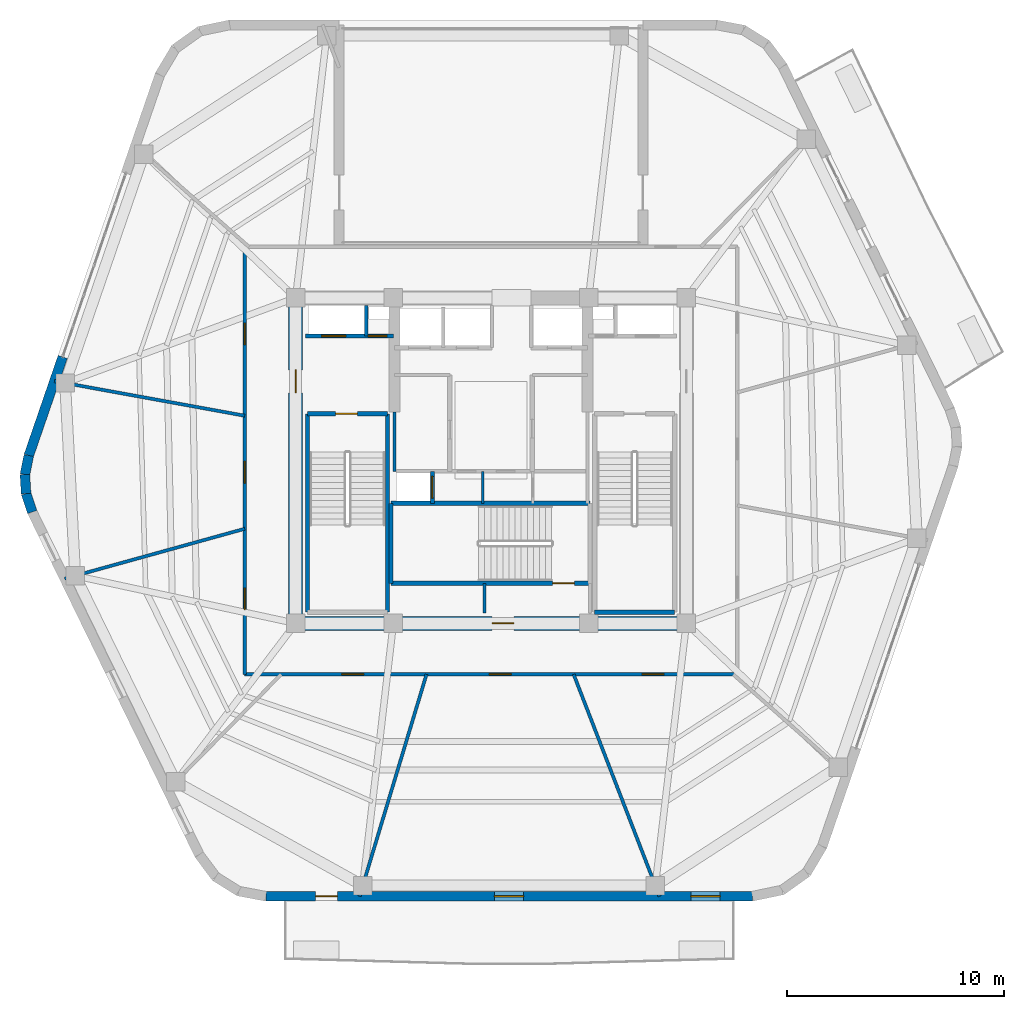
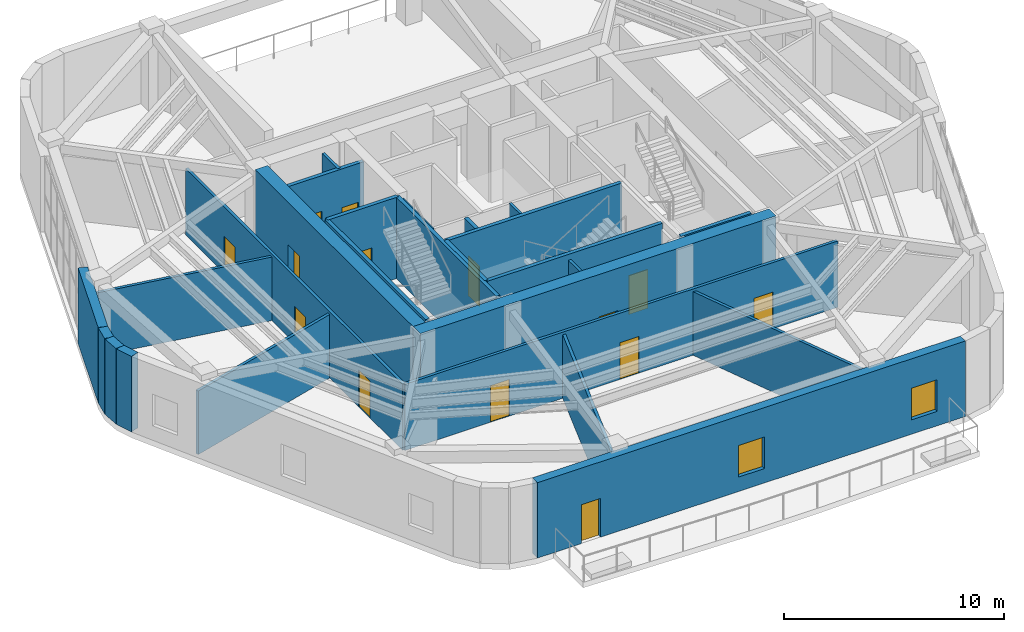
# One storey, part 11 of 15: 26 walls, 14 doors, 2 windows, 16 openings.
"""IFC4 building model written with IfcOpenShell, lengths in metres."""

from ifc_helpers import new_model, si_unit, direction, frame, frame_2d, origin, place, context, subcontext, project, spatial, rectangle, extrude, material, layer, layer_set, type_object, element, fill, save


model = new_model("IFC4")

# Units and contexts
model_context = context("Model", 3, precision=1e-05, world=origin(), true_north=direction((0.0, 1.0)))
body_context = subcontext(model_context, "Body", "Model", "MODEL_VIEW")
ifc_project = project(units=[si_unit("LENGTHUNIT", "METRE"), si_unit("AREAUNIT", "SQUARE_METRE"), si_unit("VOLUMEUNIT", "CUBIC_METRE"), si_unit("PLANEANGLEUNIT", "RADIAN"), si_unit("MASSUNIT", "GRAM", prefix="KILO")], contexts=[model_context])

# Site, building, storey
site_placement = place(None, origin())
site = spatial("IfcSite", under=ifc_project, at=site_placement, CompositionType="ELEMENT")
building_placement = place(site_placement, origin())
building = spatial("IfcBuilding", under=site, at=building_placement, Name="Kilnhurst Terrace Hotel", CompositionType="ELEMENT")
storey_placement = place(building_placement, frame((0.0, 0.0, 288.60009765625)))
storey = spatial("IfcBuildingStorey", under=building, at=storey_placement, Name="L72", CompositionType="ELEMENT", Elevation=288.60009765625)

# Walls
ifc_material_1 = material(Name="Precast concrete C40/50", Category="concrete")
ifc_layer_1 = layer(ifc_material_1, 0.449951171875, Name="Precast concrete C40/50")
ifc_layer_set_1 = layer_set([ifc_layer_1], Name="Precast concrete C40/50")
wall_type_1 = type_object("IfcWallType", Name="WL-BRK-450", PredefinedType="SOLIDWALL", material=ifc_layer_set_1)
wall_1_placement = place(storey_placement, frame((-21.297607421875, 0.2333984375, 0.0), z_axis=(0.0, 0.0, 1.0), x_axis=(-0.199158176661, -0.979967356941, 0.0)))
element("IfcWall", 1, at=wall_1_placement, inside=storey, type_object=wall_type_1, Name="L72 Rounded Corner Brick Wall C6.1", PredefinedType="SOLIDWALL", context=body_context, shape_type="SweptSolid", body=[
    extrude(rectangle(XDim=0.894775390625, YDim=0.449951171875, at=frame_2d((0.447265625, 0.0))), origin(), (0.0, 0.0, 1.0), 4.179931640625),
])
wall_2_placement = place(storey_placement, frame((-21.475830078125, -0.6435546875, 0.0), z_axis=(0.0, 0.0, 1.0), x_axis=(0.061031097918, -0.998135865044, 0.0)))
element("IfcWall", 2, at=wall_2_placement, inside=storey, type_object=wall_type_1, Name="L72 Rounded Corner Brick Wall C6.2", PredefinedType="SOLIDWALL", context=body_context, shape_type="SweptSolid", body=[
    extrude(rectangle(XDim=0.880126953125, YDim=0.449951171875, at=frame_2d((0.43994140625, 0.0))), origin(), (0.0, 0.0, 1.0), 4.179931640625),
])
wall_3_placement = place(storey_placement, frame((-21.422119140625, -1.52197265625, 0.0), z_axis=(0.0, 0.0, 1.0), x_axis=(0.316964162323, -0.94843751497, 0.0)))
element("IfcWall", 3, at=wall_3_placement, inside=storey, type_object=wall_type_1, Name="L72 Rounded Corner Brick Wall C6.3", PredefinedType="SOLIDWALL", context=body_context, shape_type="SweptSolid", body=[
    extrude(rectangle(XDim=0.89501953125, YDim=0.449951171875, at=frame_2d((0.447509765625, 0.0))), origin(), (0.0, 0.0, 1.0), 4.179931640625),
])

# Wall, openings, door, windows
wall_4_placement = place(storey_placement, frame((-10.37890625, -20.074951171875, 0.0), z_axis=(0.0, 0.0, 1.0), x_axis=(1.0, 0.0, 0.0)))
wall_4 = element("IfcWall", 4, at=wall_4_placement, inside=storey, type_object=wall_type_1, Name="L72 Exterior Brick Facade Wall F1", PredefinedType="SOLIDWALL", context=body_context, shape_type="SweptSolid", body=[
    extrude(rectangle(XDim=22.417236328125, YDim=0.449951171875, at=frame_2d((11.20849609375, 0.0))), origin(), (0.0, 0.0, 1.0), 4.179931640625),
])
opening_1_placement = place(wall_4_placement, frame((2.302001953125, 0.0, 0.0)))
opening_1 = element("IfcOpeningElement", 5, at=opening_1_placement, cuts=wall_4, Name="Opening BD-1000", PredefinedType="OPENING", context=body_context, shape_type="SweptSolid", body=[
    extrude(rectangle(XDim=1.0, YDim=2.14990234375, at=frame_2d((0.5, 1.074951171875))), frame((0.0, 0.23486328125, 0.0), z_axis=(0.0, -1.0, 0.0), x_axis=(1.0, 0.0, 0.0)), (0.0, 0.0, 1.0), 0.469970703125),
])
opening_2_placement = place(wall_4_placement, frame((10.533935546875, 0.0, 0.800048828125)))
opening_2 = element("IfcOpeningElement", 6, at=opening_2_placement, cuts=wall_4, Name="Opening W-06", PredefinedType="OPENING", context=body_context, shape_type="SweptSolid", body=[
    extrude(rectangle(XDim=1.35009765625, YDim=1.75, at=frame_2d((0.675048828125, 0.875))), frame((0.0, 0.23486328125, 0.0), z_axis=(0.0, -1.0, 0.0), x_axis=(1.0, 0.0, 0.0)), (0.0, 0.0, 1.0), 0.469970703125),
])
opening_3_placement = place(wall_4_placement, frame((19.5869140625, 0.0, 0.800048828125)))
opening_3 = element("IfcOpeningElement", 7, at=opening_3_placement, cuts=wall_4, Name="Opening W-06", PredefinedType="OPENING", context=body_context, shape_type="SweptSolid", body=[
    extrude(rectangle(XDim=1.35009765625, YDim=1.75, at=frame_2d((0.675048828125, 0.875))), frame((0.0, 0.23486328125, 0.0), z_axis=(0.0, -1.0, 0.0), x_axis=(1.0, 0.0, 0.0)), (0.0, 0.0, 1.0), 0.469970703125),
])
ifc_material_2 = material(Name="Thermally Broken Bronze Aluminium Alloy 6063-T6 and Laminated Glass", Category="aluminium")
door_type_1 = type_object("IfcDoorType", Name="DR-EXT-BAL-1000", OperationType="NOTDEFINED", PredefinedType="DOOR", material=ifc_material_2)
door_1_placement = place(opening_1_placement, origin())
door_1 = element("IfcDoor", 8, at=door_1_placement, inside=storey, type_object=door_type_1, Name="L72 Planted Balcony Door BAL-L1A", OperationType="SINGLE_SWING_LEFT", OverallHeight=2.14990234375, OverallWidth=1.0, PredefinedType="DOOR", context=body_context, shape_type="SweptSolid", body=[
    extrude(rectangle(XDim=1.0, YDim=2.14990234375, at=frame_2d((0.5, 1.074951171875))), frame((0.0, 0.02490234375, 0.0), z_axis=(0.0, -1.0, 0.0), x_axis=(1.0, 0.0, 0.0)), (0.0, 0.0, 1.0), 0.050048828125),
])
fill(opening_1, door_1)
ifc_material_3 = material(Name="Thermally Broken Bronze Aluminium Alloy 6063-T6 and Low-E Glass", Category="aluminium")
window_type = type_object("IfcWindowType", Name="WIN-1350X1750", PartitioningType="SINGLE_PANEL", PredefinedType="WINDOW", material=ifc_material_3)
window_1_placement = place(opening_2_placement, origin())
window_1 = element("IfcWindow", 9, at=window_1_placement, inside=storey, type_object=window_type, Name="L72 Deep-Set Masonry Window F1.1", OverallHeight=1.75, OverallWidth=1.35009765625, PartitioningType="SINGLE_PANEL", PredefinedType="WINDOW", context=body_context, shape_type="SweptSolid", body=[
    extrude(rectangle(XDim=1.35009765625, YDim=1.75, at=frame_2d((0.675048828125, 0.875))), frame((0.0, 0.030029296875, 0.0), z_axis=(0.0, -1.0, 0.0), x_axis=(1.0, 0.0, 0.0)), (0.0, 0.0, 1.0), 0.06005859375),
])
fill(opening_2, window_1)
window_2_placement = place(opening_3_placement, origin())
window_2 = element("IfcWindow", 10, at=window_2_placement, inside=storey, type_object=window_type, Name="L72 Deep-Set Masonry Window F1.2", OverallHeight=1.75, OverallWidth=1.35009765625, PartitioningType="SINGLE_PANEL", PredefinedType="WINDOW", context=body_context, shape_type="SweptSolid", body=[
    extrude(rectangle(XDim=1.35009765625, YDim=1.75, at=frame_2d((0.675048828125, 0.875))), frame((0.0, 0.030029296875, 0.0), z_axis=(0.0, -1.0, 0.0), x_axis=(1.0, 0.0, 0.0)), (0.0, 0.0, 1.0), 0.06005859375),
])
fill(opening_3, window_2)

# Wall
wall_5_placement = place(storey_placement, frame((-19.734375, 4.775390625, 0.0), z_axis=(0.0, 0.0, 1.0), x_axis=(-0.325437701015, -0.945563484256, 0.0)))
element("IfcWall", 11, at=wall_5_placement, inside=storey, type_object=wall_type_1, Name="L72 Face 5 End Brick Pier", PredefinedType="SOLIDWALL", context=body_context, shape_type="SweptSolid", body=[
    extrude(rectangle(XDim=4.803466796875, YDim=0.449951171875, at=frame_2d((2.40185546875, 0.0))), origin(), (0.0, 0.0, 1.0), 4.179931640625),
])

# Wall, openings, doors
ifc_material_4 = material(Name="Acoustic Double-Gypsum Corridor Partition Assembly")
ifc_layer_2 = layer(ifc_material_4, 0.14990234375, Name="Acoustic Double-Gypsum Corridor Partition Assembly")
ifc_layer_set_2 = layer_set([ifc_layer_2], Name="Acoustic Double-Gypsum Corridor Partition Assembly")
wall_type_2 = type_object("IfcWallType", Name="WL-COR-150", PredefinedType="PARTITIONING", material=ifc_layer_set_2)
wall_6_placement = place(storey_placement, frame((11.35009765625, -9.85009765625, 0.0), z_axis=(0.0, 0.0, 1.0), x_axis=(-1.0, 0.0, 0.0)))
wall_6 = element("IfcWall", 12, at=wall_6_placement, inside=storey, type_object=wall_type_2, Name="L72 Interior Wall WL-L72-COR-03", PredefinedType="PARTITIONING", context=body_context, shape_type="SweptSolid", body=[
    extrude(rectangle(XDim=22.7001953125, YDim=0.14990234375, at=frame_2d((11.35009765625, 0.0))), origin(), (0.0, 0.0, 1.0), 3.669921875),
])
opening_4_placement = place(wall_6_placement, frame((17.219970703125, 0.0, 0.0)))
opening_4 = element("IfcOpeningElement", 13, at=opening_4_placement, cuts=wall_6, Name="Opening D-10A", PredefinedType="OPENING", context=body_context, shape_type="SweptSolid", body=[
    extrude(rectangle(XDim=1.0, YDim=2.030029296875, at=frame_2d((0.5, 1.01513671875))), frame((0.0, 0.0849609375, 0.0), z_axis=(0.0, -1.0, 0.0), x_axis=(1.0, 0.0, 0.0)), (0.0, 0.0, 1.0), 0.169921875),
])
opening_5_placement = place(wall_6_placement, frame((10.428955078125, 0.0, 0.0)))
opening_5 = element("IfcOpeningElement", 14, at=opening_5_placement, cuts=wall_6, Name="Opening D-10A", PredefinedType="OPENING", context=body_context, shape_type="SweptSolid", body=[
    extrude(rectangle(XDim=1.0, YDim=2.030029296875, at=frame_2d((0.5, 1.01513671875))), frame((0.0, 0.0849609375, 0.0), z_axis=(0.0, -1.0, 0.0), x_axis=(1.0, 0.0, 0.0)), (0.0, 0.0, 1.0), 0.169921875),
])
opening_6_placement = place(wall_6_placement, frame((3.39111328125, 0.0, 0.0)))
opening_6 = element("IfcOpeningElement", 15, at=opening_6_placement, cuts=wall_6, Name="Opening D-10A", PredefinedType="OPENING", context=body_context, shape_type="SweptSolid", body=[
    extrude(rectangle(XDim=1.0, YDim=2.030029296875, at=frame_2d((0.5, 1.01513671875))), frame((0.0, 0.0849609375, 0.0), z_axis=(0.0, -1.0, 0.0), x_axis=(1.0, 0.0, 0.0)), (0.0, 0.0, 1.0), 0.169921875),
])
ifc_material_5 = material(Name="Solid-Core American White Oak Interior Door")
door_type_2 = type_object("IfcDoorType", Name="DR-INT-1000", OperationType="NOTDEFINED", PredefinedType="DOOR", material=ifc_material_5)
door_2_placement = place(opening_4_placement, origin())
door_2 = element("IfcDoor", 16, at=door_2_placement, inside=storey, type_object=door_type_2, Name="L72 High Altitude Tasting Dining Room Center Wing Door", OperationType="SINGLE_SWING_RIGHT", OverallHeight=2.030029296875, OverallWidth=1.0, PredefinedType="DOOR", context=body_context, shape_type="SweptSolid", body=[
    extrude(rectangle(XDim=1.0, YDim=2.030029296875, at=frame_2d((0.5, 1.01513671875))), frame((0.0, 0.02490234375, 0.0), z_axis=(0.0, -1.0, 0.0), x_axis=(1.0, 0.0, 0.0)), (0.0, 0.0, 1.0), 0.050048828125),
])
fill(opening_4, door_2)
door_3_placement = place(opening_5_placement, origin())
door_3 = element("IfcDoor", 17, at=door_3_placement, inside=storey, type_object=door_type_2, Name="L72 High Altitude Tasting Dining Room East Wing Door", OperationType="SINGLE_SWING_LEFT", OverallHeight=2.030029296875, OverallWidth=1.0, PredefinedType="DOOR", context=body_context, shape_type="SweptSolid", body=[
    extrude(rectangle(XDim=1.0, YDim=2.030029296875, at=frame_2d((0.5, 1.01513671875))), frame((0.0, 0.02490234375, 0.0), z_axis=(0.0, -1.0, 0.0), x_axis=(1.0, 0.0, 0.0)), (0.0, 0.0, 1.0), 0.050048828125),
])
fill(opening_5, door_3)
door_4_placement = place(opening_6_placement, origin())
door_4 = element("IfcDoor", 18, at=door_4_placement, inside=storey, type_object=door_type_2, Name="L72 Portal Tasting Servery Kitchen West Wing Door", OperationType="SINGLE_SWING_RIGHT", OverallHeight=2.030029296875, OverallWidth=1.0, PredefinedType="DOOR", context=body_context, shape_type="SweptSolid", body=[
    extrude(rectangle(XDim=1.0, YDim=2.030029296875, at=frame_2d((0.5, 1.01513671875))), frame((0.0, 0.02490234375, 0.0), z_axis=(0.0, -1.0, 0.0), x_axis=(1.0, 0.0, 0.0)), (0.0, 0.0, 1.0), 0.050048828125),
])
fill(opening_6, door_4)

wall_7_placement = place(storey_placement, frame((-11.35009765625, -9.85009765625, 0.0), z_axis=(0.0, 0.0, 1.0), x_axis=(0.0, 1.0, 0.0)))
wall_7 = element("IfcWall", 19, at=wall_7_placement, inside=storey, type_object=wall_type_2, Name="L72 Interior Wall WL-L72-COR-04", PredefinedType="PARTITIONING", context=body_context, shape_type="SweptSolid", body=[
    extrude(rectangle(XDim=19.7001953125, YDim=0.14990234375, at=frame_2d((9.85009765625, 0.0))), origin(), (0.0, 0.0, 1.0), 3.669921875),
])
opening_7_placement = place(wall_7_placement, frame((15.18896484375, 0.0, 0.0)))
opening_7 = element("IfcOpeningElement", 20, at=opening_7_placement, cuts=wall_7, Name="Opening D-10A", PredefinedType="OPENING", context=body_context, shape_type="SweptSolid", body=[
    extrude(rectangle(XDim=1.0, YDim=2.030029296875, at=frame_2d((0.5, 1.01513671875))), frame((0.0, 0.0849609375, 0.0), z_axis=(0.0, -1.0, 0.0), x_axis=(1.0, 0.0, 0.0)), (0.0, 0.0, 1.0), 0.169921875),
])
opening_8_placement = place(wall_7_placement, frame((8.81005859375, 0.0, 0.0)))
opening_8 = element("IfcOpeningElement", 21, at=opening_8_placement, cuts=wall_7, Name="Opening D-10A", PredefinedType="OPENING", context=body_context, shape_type="SweptSolid", body=[
    extrude(rectangle(XDim=1.0, YDim=2.030029296875, at=frame_2d((0.5, 1.01513671875))), frame((0.0, 0.0849609375, 0.0), z_axis=(0.0, -1.0, 0.0), x_axis=(1.0, 0.0, 0.0)), (0.0, 0.0, 1.0), 0.169921875),
])
opening_9_placement = place(wall_7_placement, frame((2.972900390625, 0.0, 0.0)))
opening_9 = element("IfcOpeningElement", 22, at=opening_9_placement, cuts=wall_7, Name="Opening D-10A", PredefinedType="OPENING", context=body_context, shape_type="SweptSolid", body=[
    extrude(rectangle(XDim=1.0, YDim=2.030029296875, at=frame_2d((0.5, 1.01513671875))), frame((0.0, 0.0849609375, 0.0), z_axis=(0.0, -1.0, 0.0), x_axis=(1.0, 0.0, 0.0)), (0.0, 0.0, 1.0), 0.169921875),
])
door_5_placement = place(opening_7_placement, origin())
door_5 = element("IfcDoor", 23, at=door_5_placement, inside=storey, type_object=door_type_2, Name="L72 West Botanical Observatory Salon West Wing Door", OperationType="SINGLE_SWING_LEFT", OverallHeight=2.030029296875, OverallWidth=1.0, PredefinedType="DOOR", context=body_context, shape_type="SweptSolid", body=[
    extrude(rectangle(XDim=1.0, YDim=2.030029296875, at=frame_2d((0.5, 1.01513671875))), frame((0.0, 0.02490234375, 0.0), z_axis=(0.0, -1.0, 0.0), x_axis=(1.0, 0.0, 0.0)), (0.0, 0.0, 1.0), 0.050048828125),
])
fill(opening_7, door_5)
door_6_placement = place(opening_8_placement, origin())
door_6 = element("IfcDoor", 24, at=door_6_placement, inside=storey, type_object=door_type_2, Name="L72 West Botanical Observatory Salon Center Wing Door", OperationType="SINGLE_SWING_RIGHT", OverallHeight=2.030029296875, OverallWidth=1.0, PredefinedType="DOOR", context=body_context, shape_type="SweptSolid", body=[
    extrude(rectangle(XDim=1.0, YDim=2.030029296875, at=frame_2d((0.5, 1.01513671875))), frame((0.0, 0.02490234375, 0.0), z_axis=(0.0, -1.0, 0.0), x_axis=(1.0, 0.0, 0.0)), (0.0, 0.0, 1.0), 0.050048828125),
])
fill(opening_8, door_6)
door_7_placement = place(opening_9_placement, origin())
door_7 = element("IfcDoor", 25, at=door_7_placement, inside=storey, type_object=door_type_2, Name="L72 High Altitude Tasting Dining Room West Wing Door", OperationType="SINGLE_SWING_LEFT", OverallHeight=2.030029296875, OverallWidth=1.0, PredefinedType="DOOR", context=body_context, shape_type="SweptSolid", body=[
    extrude(rectangle(XDim=1.0, YDim=2.030029296875, at=frame_2d((0.5, 1.01513671875))), frame((0.0, 0.02490234375, 0.0), z_axis=(0.0, -1.0, 0.0), x_axis=(1.0, 0.0, 0.0)), (0.0, 0.0, 1.0), 0.050048828125),
])
fill(opening_9, door_7)

# Wall, opening, door
ifc_material_6 = material(Name="Concrete C60/75", Category="concrete")
ifc_layer_3 = layer(ifc_material_6, 0.64990234375, Name="Concrete C60/75")
ifc_layer_set_3 = layer_set([ifc_layer_3], Name="Concrete C60/75")
wall_type_3 = type_object("IfcWallType", Name="WL-CORE-650", PredefinedType="SHEAR", material=ifc_layer_set_3)
wall_8_placement = place(storey_placement, frame((-9.324951171875, -7.5, 0.0), z_axis=(0.0, 0.0, 1.0), x_axis=(1.0, 0.0, 0.0)))
wall_8 = element("IfcWall", 26, at=wall_8_placement, inside=storey, type_object=wall_type_3, Name="L72 Core South Shear Wall", PredefinedType="SHEAR", context=body_context, shape_type="SweptSolid", body=[
    extrude(rectangle(XDim=18.64990234375, YDim=0.64990234375, at=frame_2d((9.324951171875, 0.0))), origin(), (0.0, 0.0, 1.0), 4.5),
])
opening_10_placement = place(wall_8_placement, frame((9.375, 0.0, 0.0)))
opening_10 = element("IfcOpeningElement", 27, at=opening_10_placement, cuts=wall_8, Name="Opening D-90B", PredefinedType="OPENING", context=body_context, shape_type="SweptSolid", body=[
    extrude(rectangle(XDim=1.0, YDim=2.14990234375, at=frame_2d((0.5, 1.074951171875))), frame((0.0, 0.3349609375, 0.0), z_axis=(0.0, -1.0, 0.0), x_axis=(1.0, 0.0, 0.0)), (0.0, 0.0, 1.0), 0.669921875),
])
ifc_material_7 = material(Name="Painted Hollow Metal Steel ASTM A36 Fire Door", Category="steel")
door_type_3 = type_object("IfcDoorType", Name="DR-FD90-1000", OperationType="NOTDEFINED", PredefinedType="DOOR", material=ifc_material_7)
door_8_placement = place(opening_10_placement, origin())
door_8 = element("IfcDoor", 28, at=door_8_placement, inside=storey, type_object=door_type_3, Name="L72 Stair ST-3 Corridor Door", OperationType="SINGLE_SWING_RIGHT", OverallHeight=2.14990234375, OverallWidth=1.0, PredefinedType="DOOR", context=body_context, shape_type="SweptSolid", body=[
    extrude(rectangle(XDim=1.0, YDim=2.14990234375, at=frame_2d((0.5, 1.074951171875))), frame((0.0, 0.02490234375, 0.0), z_axis=(0.0, -1.0, 0.0), x_axis=(1.0, 0.0, 0.0)), (0.0, 0.0, 1.0), 0.050048828125),
])
fill(opening_10, door_8)

wall_9_placement = place(storey_placement, frame((-9.0, -7.175048828125, 0.0), z_axis=(0.0, 0.0, 1.0), x_axis=(0.0, 1.0, 0.0)))
wall_9 = element("IfcWall", 29, at=wall_9_placement, inside=storey, type_object=wall_type_3, Name="L72 Core West Shear Wall", PredefinedType="SHEAR", context=body_context, shape_type="SweptSolid", body=[
    extrude(rectangle(XDim=14.35009765625, YDim=0.64990234375, at=frame_2d((7.175048828125, 0.0))), origin(), (0.0, 0.0, 1.0), 4.5),
])
opening_11_placement = place(wall_9_placement, frame((10.300048828125, 0.0, 0.0)))
opening_11 = element("IfcOpeningElement", 30, at=opening_11_placement, cuts=wall_9, Name="Opening D-90A", PredefinedType="OPENING", context=body_context, shape_type="SweptSolid", body=[
    extrude(rectangle(XDim=1.050048828125, YDim=2.14990234375, at=frame_2d((0.52490234375, 1.074951171875))), frame((0.0, 0.3349609375, 0.0), z_axis=(0.0, -1.0, 0.0), x_axis=(1.0, 0.0, 0.0)), (0.0, 0.0, 1.0), 0.669921875),
])
door_type_4 = type_object("IfcDoorType", Name="DR-FD90-1050", OperationType="NOTDEFINED", PredefinedType="DOOR", material=ifc_material_7)
door_9_placement = place(opening_11_placement, origin())
door_9 = element("IfcDoor", 31, at=door_9_placement, inside=storey, type_object=door_type_4, Name="L72 West Firefighting Lobby Door", OperationType="SINGLE_SWING_RIGHT", OverallHeight=2.14990234375, OverallWidth=1.050048828125, PredefinedType="DOOR", context=body_context, shape_type="SweptSolid", body=[
    extrude(rectangle(XDim=1.050048828125, YDim=2.14990234375, at=frame_2d((0.52490234375, 1.074951171875))), frame((0.0, 0.02490234375, 0.0), z_axis=(0.0, -1.0, 0.0), x_axis=(1.0, 0.0, 0.0)), (0.0, 0.0, 1.0), 0.050048828125),
])
fill(opening_11, door_9)

# Walls
ifc_material_8 = material(Name="120 mm Moisture-Resistant Tile-Backed Bathroom Partition")
ifc_layer_4 = layer(ifc_material_8, 0.1201171875, Name="120 mm Moisture-Resistant Tile-Backed Bathroom Partition")
ifc_layer_set_4 = layer_set([ifc_layer_4], Name="120 mm Moisture-Resistant Tile-Backed Bathroom Partition")
wall_type_4 = type_object("IfcWallType", Name="WL-PART-120", PredefinedType="PARTITIONING", material=ifc_layer_set_4)
wall_10_placement = place(storey_placement, frame((-0.3798828125, -1.971923828125, 0.0), z_axis=(0.0, 0.0, 1.0), x_axis=(0.0, 1.0, 0.0)))
element("IfcWall", 32, at=wall_10_placement, inside=storey, type_object=wall_type_4, Name="L72 Interior Wall WL-L72-BOH-C1", PredefinedType="PARTITIONING", context=body_context, shape_type="SweptSolid", body=[
    extrude(rectangle(XDim=1.471923828125, YDim=0.1201171875, at=frame_2d((0.73583984375, 0.0))), origin(), (0.0, 0.0, 1.0), 4.179931640625),
])
ifc_material_9 = material(Name="150 mm Acoustic Gypsum Hospitality Partition")
ifc_layer_5 = layer(ifc_material_9, 0.14990234375, Name="150 mm Acoustic Gypsum Hospitality Partition")
ifc_layer_set_5 = layer_set([ifc_layer_5], Name="150 mm Acoustic Gypsum Hospitality Partition")
wall_type_5 = type_object("IfcWallType", Name="WL-PART-150", PredefinedType="PARTITIONING", material=ifc_layer_set_5)
wall_11_placement = place(storey_placement, frame((-11.35009765625, 2.067138671875, 0.0), z_axis=(0.0, 0.0, 1.0), x_axis=(-0.983816386236, 0.179179569634, 0.0)))
element("IfcWall", 33, at=wall_11_placement, inside=storey, type_object=wall_type_5, Name="L72 Interior Wall WL-L72-SCOL-06-1", PredefinedType="PARTITIONING", context=body_context, shape_type="SweptSolid", body=[
    extrude(rectangle(XDim=8.9111328125, YDim=0.14990234375, at=frame_2d((4.45556640625, 0.0))), origin(), (0.0, 0.0, 1.0), 3.52001953125),
])
wall_12_placement = place(storey_placement, frame((-11.35009765625, -3.142822265625, 0.0), z_axis=(0.0, 0.0, 1.0), x_axis=(-0.963731818141, -0.266872596386, 0.0)))
element("IfcWall", 34, at=wall_12_placement, inside=storey, type_object=wall_type_5, Name="L72 Interior Wall WL-L72-SCOL-07-1", PredefinedType="PARTITIONING", context=body_context, shape_type="SweptSolid", body=[
    extrude(rectangle(XDim=8.604736328125, YDim=0.14990234375, at=frame_2d((4.30224609375, 0.0))), origin(), (0.0, 0.0, 1.0), 3.52001953125),
])
wall_13_placement = place(storey_placement, frame((-2.97216796875, -9.85009765625, 0.0), z_axis=(0.0, 0.0, 1.0), x_axis=(-0.288872169679, -0.957367677324, 0.0)))
element("IfcWall", 35, at=wall_13_placement, inside=storey, type_object=wall_type_5, Name="L72 Interior Wall WL-L72-SCOL-09-1", PredefinedType="PARTITIONING", context=body_context, shape_type="SweptSolid", body=[
    extrude(rectangle(XDim=10.68017578125, YDim=0.14990234375, at=frame_2d((5.340087890625, 0.0))), origin(), (0.0, 0.0, 1.0), 3.52001953125),
])
wall_14_placement = place(storey_placement, frame((3.8076171875, -9.85009765625, 0.0), z_axis=(0.0, 0.0, 1.0), x_axis=(0.360587327934, -0.932725457427, 0.0)))
element("IfcWall", 36, at=wall_14_placement, inside=storey, type_object=wall_type_5, Name="L72 Interior Wall WL-L72-SCOL-10-1", PredefinedType="PARTITIONING", context=body_context, shape_type="SweptSolid", body=[
    extrude(rectangle(XDim=10.96240234375, YDim=0.14990234375, at=frame_2d((5.481201171875, 0.0))), origin(), (0.0, 0.0, 1.0), 3.52001953125),
])
ifc_material_10 = material(Name="Fire-Rated Gypsum Shaftliner Assembly")
ifc_layer_6 = layer(ifc_material_10, 0.14990234375, Name="Fire-Rated Gypsum Shaftliner Assembly")
ifc_layer_set_6 = layer_set([ifc_layer_6], Name="Fire-Rated Gypsum Shaftliner Assembly")
wall_type_6 = type_object("IfcWallType", Name="WL-SHAFT-150", PredefinedType="PARTITIONING", material=ifc_layer_set_6)
wall_15_placement = place(storey_placement, frame((-0.300048828125, -7.02001953125, 0.0), z_axis=(0.0, 0.0, 1.0), x_axis=(0.0, 1.0, 0.0)))
element("IfcWall", 37, at=wall_15_placement, inside=storey, type_object=wall_type_6, Name="L72 Interior Wall WL-L72-ST3-PSGW", PredefinedType="PARTITIONING", context=body_context, shape_type="SweptSolid", body=[
    extrude(rectangle(XDim=1.362060546875, YDim=0.14990234375, at=frame_2d((0.68115234375, 0.0))), origin(), (0.0, 0.0, 1.0), 4.179931640625),
])
wall_16_placement = place(storey_placement, frame((-5.75, 5.739990234375, 0.0), z_axis=(0.0, 0.0, 1.0), x_axis=(0.0, 1.0, 0.0)))
element("IfcWall", 38, at=wall_16_placement, inside=storey, type_object=wall_type_6, Name="L72 Interior Wall WL-L72-RIS1-DIV", PredefinedType="PARTITIONING", context=body_context, shape_type="SweptSolid", body=[
    extrude(rectangle(XDim=1.409912109375, YDim=0.14990234375, at=frame_2d((0.705078125, 0.0))), origin(), (0.0, 0.0, 1.0), 4.179931640625),
])
wall_17_placement = place(storey_placement, frame((-4.449951171875, -0.5, 0.0), z_axis=(0.0, 0.0, 1.0), x_axis=(0.0, 1.0, 0.0)))
element("IfcWall", 39, at=wall_17_placement, inside=storey, type_object=wall_type_6, Name="L72 Interior Wall WL-L72-XLOB-W", PredefinedType="PARTITIONING", context=body_context, shape_type="SweptSolid", body=[
    extrude(rectangle(XDim=2.75, YDim=0.14990234375, at=frame_2d((1.375, 0.0))), origin(), (0.0, 0.0, 1.0), 4.179931640625),
])

# Wall, openings, doors
ifc_material_11 = material(Name="Autoclaved Aerated Concrete C30/37 and Gypsum Shaft Assembly", Category="concrete")
ifc_layer_7 = layer(ifc_material_11, 0.199951171875, Name="Autoclaved Aerated Concrete C30/37 and Gypsum Shaft Assembly")
ifc_layer_set_7 = layer_set([ifc_layer_7], Name="Autoclaved Aerated Concrete C30/37 and Gypsum Shaft Assembly")
wall_type_7 = type_object("IfcWallType", Name="WL-SHAFT-200", PredefinedType="PARTITIONING", material=ifc_layer_set_7)
wall_18_placement = place(storey_placement, frame((-8.550048828125, 5.739990234375, 0.0), z_axis=(0.0, 0.0, 1.0), x_axis=(1.0, 0.0, 0.0)))
wall_18 = element("IfcWall", 40, at=wall_18_placement, inside=storey, type_object=wall_type_7, Name="L72 Interior Wall WL-L72-FSAE1-S", PredefinedType="PARTITIONING", context=body_context, shape_type="SweptSolid", body=[
    extrude(rectangle(XDim=4.050048828125, YDim=0.199951171875, at=frame_2d((2.02490234375, 0.0))), origin(), (0.0, 0.0, 1.0), 4.179931640625),
])
opening_12_placement = place(wall_18_placement, frame((0.75, 0.0, 0.0)))
opening_12 = element("IfcOpeningElement", 41, at=opening_12_placement, cuts=wall_18, Name="Opening LD-F1", PredefinedType="OPENING", context=body_context, shape_type="SweptSolid", body=[
    extrude(rectangle(XDim=1.10009765625, YDim=2.199951171875, at=frame_2d((0.550048828125, 1.10009765625))), frame((0.0, 0.10986328125, 0.0), z_axis=(0.0, -1.0, 0.0), x_axis=(1.0, 0.0, 0.0)), (0.0, 0.0, 1.0), 0.219970703125),
])
opening_13_placement = place(wall_18_placement, frame((2.89990234375, 0.0, 0.0)))
opening_13 = element("IfcOpeningElement", 42, at=opening_13_placement, cuts=wall_18, Name="Opening D-60D", PredefinedType="OPENING", context=body_context, shape_type="SweptSolid", body=[
    extrude(rectangle(XDim=0.85009765625, YDim=2.030029296875, at=frame_2d((0.425048828125, 1.01513671875))), frame((0.0, 0.10986328125, 0.0), z_axis=(0.0, -1.0, 0.0), x_axis=(1.0, 0.0, 0.0)), (0.0, 0.0, 1.0), 0.219970703125),
])
ifc_material_12 = material(Name="Painted Hollow Metal Steel ASTM A36 Riser Door", Category="steel")
door_type_5 = type_object("IfcDoorType", Name="DR-FD60-850", OperationType="NOTDEFINED", PredefinedType="DOOR", material=ifc_material_12)
door_10_placement = place(opening_13_placement, origin())
door_10 = element("IfcDoor", 43, at=door_10_placement, inside=storey, type_object=door_type_5, Name="L72 Electrical Riser Door", OperationType="SINGLE_SWING_LEFT", OverallHeight=2.030029296875, OverallWidth=0.85009765625, PredefinedType="DOOR", context=body_context, shape_type="SweptSolid", body=[
    extrude(rectangle(XDim=0.85009765625, YDim=2.030029296875, at=frame_2d((0.425048828125, 1.01513671875))), frame((0.0, 0.02490234375, 0.0), z_axis=(0.0, -1.0, 0.0), x_axis=(1.0, 0.0, 0.0)), (0.0, 0.0, 1.0), 0.050048828125),
])
fill(opening_13, door_10)
ifc_material_13 = material(Name="Bronze-Anodized Stainless Steel AISI 316L Sliding Door", Category="steel")
door_type_6 = type_object("IfcDoorType", Name="DR-LIFT-1100", OperationType="NOTDEFINED", PredefinedType="DOOR", material=ifc_material_13)
door_11_placement = place(opening_12_placement, origin())
door_11 = element("IfcDoor", 44, at=door_11_placement, inside=storey, type_object=door_type_6, Name="L72 FSAE-1 Landing Door", OperationType="SLIDING_TO_LEFT", OverallHeight=2.199951171875, OverallWidth=1.10009765625, PredefinedType="DOOR", context=body_context, shape_type="SweptSolid", body=[
    extrude(rectangle(XDim=1.10009765625, YDim=2.199951171875, at=frame_2d((0.550048828125, 1.10009765625))), frame((0.0, 0.02490234375, 0.0), z_axis=(0.0, -1.0, 0.0), x_axis=(1.0, 0.0, 0.0)), (0.0, 0.0, 1.0), 0.050048828125),
])
fill(opening_12, door_11)

# Wall, opening, door
wall_19_placement = place(storey_placement, frame((-2.699951171875, -1.971923828125, 0.0), z_axis=(0.0, 0.0, 1.0), x_axis=(0.0, 1.0, 0.0)))
wall_19 = element("IfcWall", 45, at=wall_19_placement, inside=storey, type_object=wall_type_7, Name="L72 Interior Wall WL-L72-SRV1-E", PredefinedType="PARTITIONING", context=body_context, shape_type="SweptSolid", body=[
    extrude(rectangle(XDim=1.471923828125, YDim=0.199951171875, at=frame_2d((0.73583984375, 0.0))), origin(), (0.0, 0.0, 1.0), 4.179931640625),
])
opening_14_placement = place(wall_19_placement, frame((0.239990234375, 0.0, 0.0)))
opening_14 = element("IfcOpeningElement", 46, at=opening_14_placement, cuts=wall_19, Name="Opening LD-SV", PredefinedType="OPENING", context=body_context, shape_type="SweptSolid", body=[
    extrude(rectangle(XDim=1.0, YDim=2.199951171875, at=frame_2d((0.5, 1.10009765625))), frame((0.0, 0.10986328125, 0.0), z_axis=(0.0, -1.0, 0.0), x_axis=(1.0, 0.0, 0.0)), (0.0, 0.0, 1.0), 0.219970703125),
])
door_type_7 = type_object("IfcDoorType", Name="DR-LIFT-1000", OperationType="NOTDEFINED", PredefinedType="DOOR", material=ifc_material_13)
door_12_placement = place(opening_14_placement, origin())
door_12 = element("IfcDoor", 47, at=door_12_placement, inside=storey, type_object=door_type_7, Name="L72 Service Lift SRV-1 Landing Door", OperationType="SLIDING_TO_LEFT", OverallHeight=2.199951171875, OverallWidth=1.0, PredefinedType="DOOR", context=body_context, shape_type="SweptSolid", body=[
    extrude(rectangle(XDim=1.0, YDim=2.199951171875, at=frame_2d((0.5, 1.10009765625))), frame((0.0, 0.02490234375, 0.0), z_axis=(0.0, -1.0, 0.0), x_axis=(1.0, 0.0, 0.0)), (0.0, 0.0, 1.0), 0.050048828125),
])
fill(opening_14, door_12)

# Walls
ifc_material_14 = material(Name="Concrete C50/60", Category="concrete")
ifc_layer_8 = layer(ifc_material_14, 0.199951171875, Name="Concrete C50/60")
ifc_layer_set_8 = layer_set([ifc_layer_8], Name="Concrete C50/60")
wall_type_8 = type_object("IfcWallType", Name="WL-STAIR-RC-200", PredefinedType="SHEAR", material=ifc_layer_set_8)
for number, where, z_axis, x_axis, name in (
    (48, (-8.4580078125, -6.985107421875, 0.0), (0.0, 0.0, 1.0), (0.0, 1.0, 0.0), "L72 Structural Stair Shaft Wall WL-L72-ST1-W"),
    (49, (-4.77197265625, -6.985107421875, 0.0), (0.0, 0.0, 1.0), (0.0, 1.0, 0.0), "L72 Structural Stair Shaft Wall WL-L72-ST1-E"),
):
    element("IfcWall", number, at=place(storey_placement, frame(where, z_axis=z_axis, x_axis=x_axis)), inside=storey, type_object=wall_type_8, Name=name, PredefinedType="SHEAR", context=body_context, shape_type="SweptSolid", body=[
        extrude(rectangle(XDim=9.14306640625, YDim=0.199951171875, at=frame_2d((4.571533203125, 0.0))), origin(), (0.0, 0.0, 1.0), 4.5),
    ])

# Wall, opening, door
wall_20_placement = place(storey_placement, frame((-8.4580078125, 2.157958984375, 0.0), z_axis=(0.0, 0.0, 1.0), x_axis=(1.0, 0.0, 0.0)))
wall_20 = element("IfcWall", 50, at=wall_20_placement, inside=storey, type_object=wall_type_8, Name="L72 Structural Stair Shaft Wall WL-L72-ST1-N", PredefinedType="SHEAR", context=body_context, shape_type="SweptSolid", body=[
    extrude(rectangle(XDim=3.68603515625, YDim=0.199951171875, at=frame_2d((1.843017578125, 0.0))), origin(), (0.0, 0.0, 1.0), 4.5),
])
opening_15_placement = place(wall_20_placement, frame((1.300048828125, 0.0, 0.0)))
opening_15 = element("IfcOpeningElement", 51, at=opening_15_placement, cuts=wall_20, Name="Opening D-90B", PredefinedType="OPENING", context=body_context, shape_type="SweptSolid", body=[
    extrude(rectangle(XDim=1.0, YDim=2.14990234375, at=frame_2d((0.5, 1.074951171875))), frame((0.0, 0.10986328125, 0.0), z_axis=(0.0, -1.0, 0.0), x_axis=(1.0, 0.0, 0.0)), (0.0, 0.0, 1.0), 0.219970703125),
])
door_13_placement = place(opening_15_placement, origin())
door_13 = element("IfcDoor", 52, at=door_13_placement, inside=storey, type_object=door_type_3, Name="L72 Stair ST-1 Door", OperationType="SINGLE_SWING_LEFT", OverallHeight=2.14990234375, OverallWidth=1.0, PredefinedType="DOOR", context=body_context, shape_type="SweptSolid", body=[
    extrude(rectangle(XDim=1.0, YDim=2.14990234375, at=frame_2d((0.5, 1.074951171875))), frame((0.0, 0.02490234375, 0.0), z_axis=(0.0, -1.0, 0.0), x_axis=(1.0, 0.0, 0.0)), (0.0, 0.0, 1.0), 0.050048828125),
])
fill(opening_15, door_13)

# Walls
for number, where, z_axis, x_axis, name in (
    (53, (4.77197265625, -6.985107421875, 0.0), (0.0, 0.0, 1.0), (1.0, 0.0, 0.0), "L72 Structural Stair Shaft Wall WL-L72-ST2-S"),
    (54, (-4.60791015625, -5.657958984375, 0.0), (0.0, 0.0, 1.0), (0.0, 1.0, 0.0), "L72 Structural Stair Shaft Wall WL-L72-ST3-W"),
):
    element("IfcWall", number, at=place(storey_placement, frame(where, z_axis=z_axis, x_axis=x_axis)), inside=storey, type_object=wall_type_8, Name=name, PredefinedType="SHEAR", context=body_context, shape_type="SweptSolid", body=[
        extrude(rectangle(XDim=3.68603515625, YDim=0.199951171875, at=frame_2d((1.843017578125, 0.0))), origin(), (0.0, 0.0, 1.0), 4.5),
    ])

# Wall, opening, door
wall_21_placement = place(storey_placement, frame((-4.60791015625, -5.657958984375, 0.0), z_axis=(0.0, 0.0, 1.0), x_axis=(1.0, 0.0, 0.0)))
wall_21 = element("IfcWall", 55, at=wall_21_placement, inside=storey, type_object=wall_type_8, Name="L72 Structural Stair Shaft Wall WL-L72-ST3-S", PredefinedType="SHEAR", context=body_context, shape_type="SweptSolid", body=[
    extrude(rectangle(XDim=9.166015625, YDim=0.199951171875, at=frame_2d((4.5830078125, 0.0))), origin(), (0.0, 0.0, 1.0), 4.5),
])
opening_16_placement = place(wall_21_placement, frame((7.449951171875, 0.0, 0.0)))
opening_16 = element("IfcOpeningElement", 56, at=opening_16_placement, cuts=wall_21, Name="Opening D-90B", PredefinedType="OPENING", context=body_context, shape_type="SweptSolid", body=[
    extrude(rectangle(XDim=1.0, YDim=2.14990234375, at=frame_2d((0.5, 1.074951171875))), frame((0.0, 0.10986328125, 0.0), z_axis=(0.0, -1.0, 0.0), x_axis=(1.0, 0.0, 0.0)), (0.0, 0.0, 1.0), 0.219970703125),
])
door_14_placement = place(opening_16_placement, origin())
door_14 = element("IfcDoor", 57, at=door_14_placement, inside=storey, type_object=door_type_3, Name="L72 Stair ST-3 Shaft Door", OperationType="SINGLE_SWING_LEFT", OverallHeight=2.14990234375, OverallWidth=1.0, PredefinedType="DOOR", context=body_context, shape_type="SweptSolid", body=[
    extrude(rectangle(XDim=1.0, YDim=2.14990234375, at=frame_2d((0.5, 1.074951171875))), frame((0.0, 0.02490234375, 0.0), z_axis=(0.0, -1.0, 0.0), x_axis=(1.0, 0.0, 0.0)), (0.0, 0.0, 1.0), 0.050048828125),
])
fill(opening_16, door_14)

# Wall
wall_22_placement = place(storey_placement, frame((-4.60791015625, -1.971923828125, 0.0), z_axis=(0.0, 0.0, 1.0), x_axis=(1.0, 0.0, 0.0)))
element("IfcWall", 58, at=wall_22_placement, inside=storey, type_object=wall_type_8, Name="L72 Structural Stair Shaft Wall WL-L72-ST3-N", PredefinedType="SHEAR", context=body_context, shape_type="SweptSolid", body=[
    extrude(rectangle(XDim=9.166015625, YDim=0.199951171875, at=frame_2d((4.5830078125, 0.0))), origin(), (0.0, 0.0, 1.0), 4.5),
])

save(model, "model.ifc")
